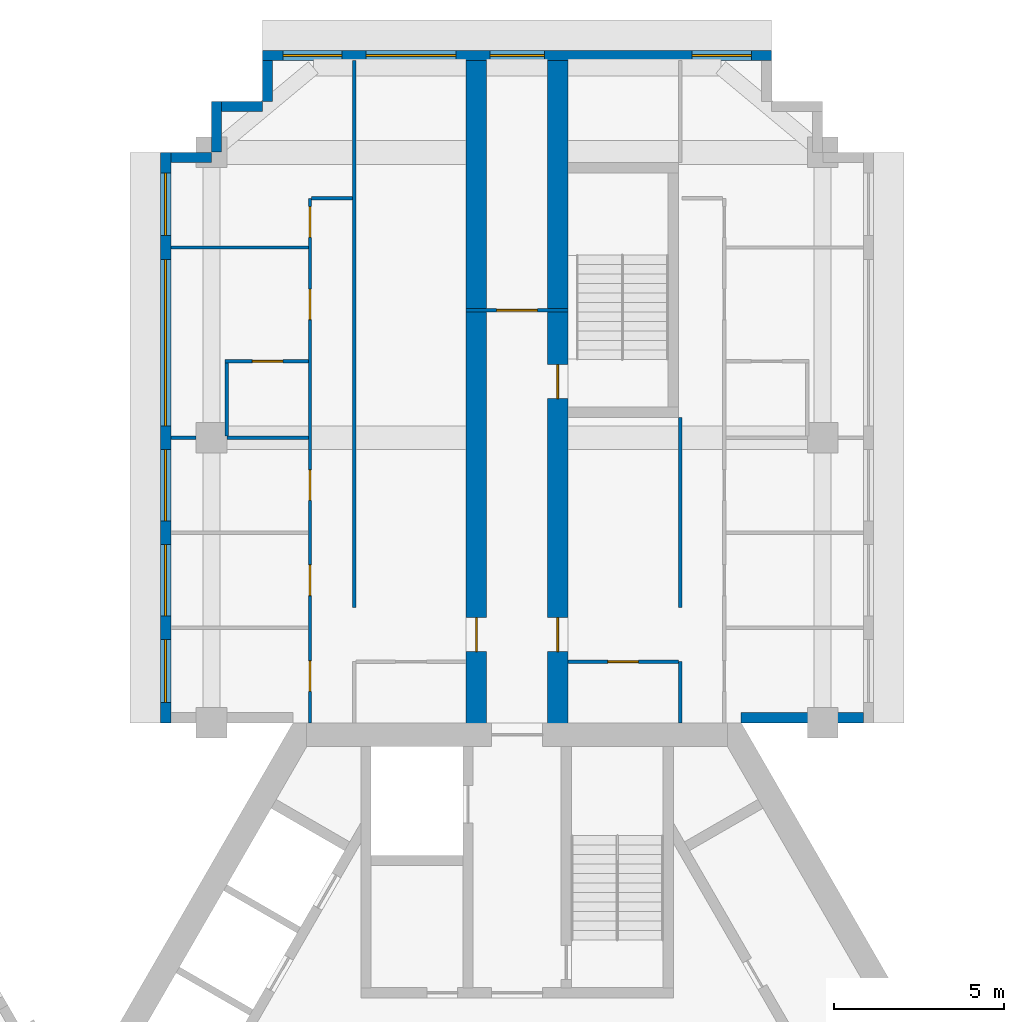
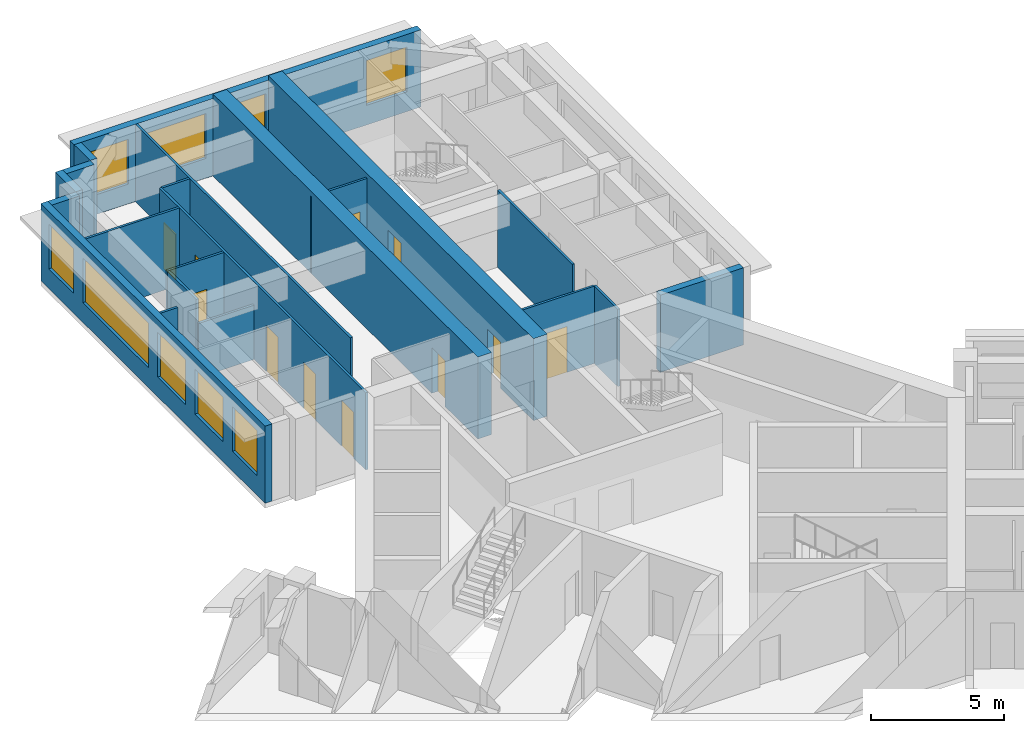
# One storey, part 7 of 10: 21 walls, 11 doors, 9 windows, 20 openings.
"""IFC4 building model written with IfcOpenShell, lengths in metres."""

from ifc_helpers import new_model, si_unit, direction, frame, frame_2d, origin, place, context, subcontext, project, spatial, rectangle, extrude, material, layer, layer_set, type_object, element, fill, save


model = new_model("IFC4")

# Units and contexts
model_context = context("Model", 3, precision=1e-05, world=origin(), true_north=direction((0.0, 1.0)))
body_context = subcontext(model_context, "Body", "Model", "MODEL_VIEW")
ifc_project = project(units=[si_unit("LENGTHUNIT", "METRE"), si_unit("AREAUNIT", "SQUARE_METRE"), si_unit("VOLUMEUNIT", "CUBIC_METRE"), si_unit("PLANEANGLEUNIT", "RADIAN"), si_unit("MASSUNIT", "GRAM", prefix="KILO")], contexts=[model_context])

# Site, building, storey
site_placement = place(None, origin())
site = spatial("IfcSite", under=ifc_project, at=site_placement, CompositionType="ELEMENT")
building_placement = place(site_placement, origin())
building = spatial("IfcBuilding", under=site, at=building_placement, Name="Impinga Residences", CompositionType="ELEMENT")
storey_placement = place(building_placement, frame((0.0, 0.0, 263.5)))
storey = spatial("IfcBuildingStorey", under=building, at=storey_placement, Name="L66", CompositionType="ELEMENT", Elevation=263.5)

# Wall, opening, door
ifc_material_1 = material(Name="Concrete C60/75", Category="concrete")
ifc_layer_1 = layer(ifc_material_1, 0.60009765625)
ifc_layer_set_1 = layer_set([ifc_layer_1], Name="Concrete C60/75")
wall_type_1 = type_object("IfcWallType", Name="BW3 corridor buttress wall, L46 to L73 600", PredefinedType="SHEAR", material=ifc_layer_set_1)
wall_1_placement = place(storey_placement, frame((-1.199951171875, 11.08154296875, 0.0), z_axis=(0.0, 0.0, 1.0), x_axis=(0.0, 1.0, 0.0)))
wall_1 = element("IfcWall", 1, at=wall_1_placement, inside=storey, type_object=wall_type_1, Name="Corridor wall BW3 NC L66", PredefinedType="SHEAR", context=body_context, shape_type="SweptSolid", body=[
    extrude(rectangle(XDim=19.85009765625, YDim=0.60009765625, at=frame_2d((9.925048828125, 0.0))), origin(), (0.0, 0.0, 1.0), 3.75),
])
opening_1_placement = place(wall_1_placement, frame((2.449951171875, 0.0, 0.0)))
opening_1 = element("IfcOpeningElement", 2, at=opening_1_placement, cuts=wall_1, Name="Opening D1", PredefinedType="OPENING", context=body_context, shape_type="SweptSolid", body=[
    extrude(rectangle(XDim=1.0, YDim=2.10009765625, at=frame_2d((0.5, 1.050048828125))), frame((0.0, 0.31005859375, 0.0), z_axis=(0.0, -1.0, 0.0), x_axis=(1.0, 0.0, 0.0)), (0.0, 0.0, 1.0), 0.6201171875),
])
ifc_material_2 = material(Name="Timber door set", Category="wood")
door_type_1 = type_object("IfcDoorType", Name="D1 apartment entrance door 1000x2100", OperationType="SINGLE_SWING_LEFT", PredefinedType="DOOR", material=ifc_material_2)
door_1_placement = place(opening_1_placement, origin())
door_1 = element("IfcDoor", 3, at=door_1_placement, inside=storey, type_object=door_type_1, Name="Apartment L66-NA1 entrance", OperationType="SINGLE_SWING_LEFT", OverallHeight=2.10009765625, OverallWidth=1.0, PredefinedType="DOOR", context=body_context, shape_type="SweptSolid", body=[
    extrude(rectangle(XDim=1.0, YDim=2.10009765625, at=frame_2d((0.5, 1.050048828125))), frame((0.0, 0.02490234375, 0.0), z_axis=(0.0, -1.0, 0.0), x_axis=(1.0, 0.0, 0.0)), (0.0, 0.0, 1.0), 0.050048828125),
])
fill(opening_1, door_1)

# Wall, openings, doors
wall_2_placement = place(storey_placement, frame((1.199951171875, 11.08154296875, 0.0), z_axis=(0.0, 0.0, 1.0), x_axis=(0.0, 1.0, 0.0)))
wall_2 = element("IfcWall", 4, at=wall_2_placement, inside=storey, type_object=wall_type_1, Name="Corridor wall BW3 ND L66", PredefinedType="SHEAR", context=body_context, shape_type="SweptSolid", body=[
    extrude(rectangle(XDim=19.85009765625, YDim=0.60009765625, at=frame_2d((9.925048828125, 0.0))), origin(), (0.0, 0.0, 1.0), 3.75),
])
opening_2_placement = place(wall_2_placement, frame((9.89990234375, 0.0, 0.0)))
opening_2 = element("IfcOpeningElement", 5, at=opening_2_placement, cuts=wall_2, Name="Opening D5", PredefinedType="OPENING", context=body_context, shape_type="SweptSolid", body=[
    extrude(rectangle(XDim=1.0, YDim=2.10009765625, at=frame_2d((0.5, 1.050048828125))), frame((0.0, 0.31005859375, 0.0), z_axis=(0.0, -1.0, 0.0), x_axis=(1.0, 0.0, 0.0)), (0.0, 0.0, 1.0), 0.6201171875),
])
opening_3_placement = place(wall_2_placement, frame((2.449951171875, 0.0, 0.0)))
opening_3 = element("IfcOpeningElement", 6, at=opening_3_placement, cuts=wall_2, Name="Opening D1", PredefinedType="OPENING", context=body_context, shape_type="SweptSolid", body=[
    extrude(rectangle(XDim=1.0, YDim=2.10009765625, at=frame_2d((0.5, 1.050048828125))), frame((0.0, 0.31005859375, 0.0), z_axis=(0.0, -1.0, 0.0), x_axis=(1.0, 0.0, 0.0)), (0.0, 0.0, 1.0), 0.6201171875),
])
door_2_placement = place(opening_3_placement, origin())
door_2 = element("IfcDoor", 7, at=door_2_placement, inside=storey, type_object=door_type_1, Name="Apartment L66-NF1 entrance", OperationType="SINGLE_SWING_LEFT", OverallHeight=2.10009765625, OverallWidth=1.0, PredefinedType="DOOR", context=body_context, shape_type="SweptSolid", body=[
    extrude(rectangle(XDim=1.0, YDim=2.10009765625, at=frame_2d((0.5, 1.050048828125))), frame((0.0, 0.02490234375, 0.0), z_axis=(0.0, -1.0, 0.0), x_axis=(1.0, 0.0, 0.0)), (0.0, 0.0, 1.0), 0.050048828125),
])
fill(opening_3, door_2)
door_type_2 = type_object("IfcDoorType", Name="D5 stair door 1000x2100", OperationType="SINGLE_SWING_LEFT", PredefinedType="DOOR", material=ifc_material_2)
door_3_placement = place(opening_2_placement, origin())
door_3 = element("IfcDoor", 8, at=door_3_placement, inside=storey, type_object=door_type_2, Name="Wing stair door N", OperationType="SINGLE_SWING_RIGHT", OverallHeight=2.10009765625, OverallWidth=1.0, PredefinedType="DOOR", context=body_context, shape_type="SweptSolid", body=[
    extrude(rectangle(XDim=1.0, YDim=2.10009765625, at=frame_2d((0.5, 1.050048828125))), frame((0.0, 0.02490234375, 0.0), z_axis=(0.0, -1.0, 0.0), x_axis=(1.0, 0.0, 0.0)), (0.0, 0.0, 1.0), 0.050048828125),
])
fill(opening_2, door_3)

# Wall, opening, door
ifc_material_3 = material(Name="Concrete blockwork", Category="masonry")
ifc_layer_2 = layer(ifc_material_3, 0.10009765625)
ifc_layer_set_2 = layer_set([ifc_layer_2], Name="CP1 core room partition, blockwork 100")
wall_type_2 = type_object("IfcWallType", Name="CP1 core room partition, blockwork 100", PredefinedType="PARTITIONING", material=ifc_layer_set_2)
wall_3_placement = place(storey_placement, frame((-1.5, 23.58154296875, 0.0), z_axis=(0.0, 0.0, 1.0), x_axis=(1.0, 0.0, 0.0)))
wall_3 = element("IfcWall", 9, at=wall_3_placement, inside=storey, type_object=wall_type_2, Name="Core room partition, blockwork L66:N:LNG", PredefinedType="PARTITIONING", context=body_context, shape_type="SweptSolid", body=[
    extrude(rectangle(XDim=3.0, YDim=0.10009765625, at=frame_2d((1.5, 0.0))), origin(), (0.0, 0.0, 1.0), 3.530029296875),
])
opening_4_placement = place(wall_3_placement, frame((0.89990234375, 0.0, 0.0)))
opening_4 = element("IfcOpeningElement", 10, at=opening_4_placement, cuts=wall_3, Name="Opening D3", PredefinedType="OPENING", context=body_context, shape_type="SweptSolid", body=[
    extrude(rectangle(XDim=1.199951171875, YDim=2.10009765625, at=frame_2d((0.60009765625, 1.050048828125))), frame((0.0, 0.06005859375, 0.0), z_axis=(0.0, -1.0, 0.0), x_axis=(1.0, 0.0, 0.0)), (0.0, 0.0, 1.0), 0.1201171875),
])
door_type_3 = type_object("IfcDoorType", Name="D3 room door, leaf and a half 1200x2100", OperationType="DOUBLE_SWING_LEFT", PredefinedType="DOOR", material=ifc_material_2)
door_4_placement = place(opening_4_placement, origin())
door_4 = element("IfcDoor", 11, at=door_4_placement, inside=storey, type_object=door_type_3, Name="Residents' lounge door N", OperationType="DOUBLE_SWING_LEFT", OverallHeight=2.10009765625, OverallWidth=1.199951171875, PredefinedType="DOOR", context=body_context, shape_type="SweptSolid", body=[
    extrude(rectangle(XDim=1.199951171875, YDim=2.10009765625, at=frame_2d((0.60009765625, 1.050048828125))), frame((0.0, 0.02490234375, 0.0), z_axis=(0.0, -1.0, 0.0), x_axis=(1.0, 0.0, 0.0)), (0.0, 0.0, 1.0), 0.050048828125),
])
fill(opening_4, door_4)

# Wall, openings, windows
ifc_material_4 = material(Name="Terracotta rainscreen on blockwork", Category="masonry")
ifc_layer_3 = layer(ifc_material_4, 0.300048828125)
ifc_layer_set_3 = layer_set([ifc_layer_3], Name="EW1 external wall, terracotta rainscreen on blockwork 300")
wall_type_3 = type_object("IfcWallType", Name="EW1 external wall, terracotta rainscreen on blockwork 300", PredefinedType="SOLIDWALL", material=ifc_layer_set_3)
wall_4_placement = place(storey_placement, frame((-10.35009765625, 11.431640625, 0.0), z_axis=(0.0, 0.0, 1.0), x_axis=(0.0, 1.0, 0.0)))
wall_4 = element("IfcWall", 12, at=wall_4_placement, inside=storey, type_object=wall_type_3, Name="External wall EW1 L66", PredefinedType="SOLIDWALL", context=body_context, shape_type="SweptSolid", body=[
    extrude(rectangle(XDim=16.7998046875, YDim=0.300048828125, at=frame_2d((8.39990234375, 0.0))), origin(), (0.0, 0.0, 1.0), 3.530029296875),
])
opening_5_placement = place(wall_4_placement, frame((0.60009765625, 0.0, 0.89990234375)))
opening_5 = element("IfcOpeningElement", 13, at=opening_5_placement, cuts=wall_4, Name="Opening W15", PredefinedType="OPENING", context=body_context, shape_type="SweptSolid", body=[
    extrude(rectangle(XDim=1.85009765625, YDim=2.050048828125, at=frame_2d((0.925048828125, 1.02490234375))), frame((0.0, 0.159912109375, 0.0), z_axis=(0.0, -1.0, 0.0), x_axis=(1.0, 0.0, 0.0)), (0.0, 0.0, 1.0), 0.320068359375),
])
opening_6_placement = place(wall_4_placement, frame((3.14990234375, 0.0, 0.89990234375)))
opening_6 = element("IfcOpeningElement", 14, at=opening_6_placement, cuts=wall_4, Name="Opening W9", PredefinedType="OPENING", context=body_context, shape_type="SweptSolid", body=[
    extrude(rectangle(XDim=2.10009765625, YDim=2.050048828125, at=frame_2d((1.050048828125, 1.02490234375))), frame((0.0, 0.159912109375, 0.0), z_axis=(0.0, -1.0, 0.0), x_axis=(1.0, 0.0, 0.0)), (0.0, 0.0, 1.0), 0.320068359375),
])
opening_7_placement = place(wall_4_placement, frame((5.949951171875, 0.0, 0.89990234375)))
opening_7 = element("IfcOpeningElement", 15, at=opening_7_placement, cuts=wall_4, Name="Opening W9", PredefinedType="OPENING", context=body_context, shape_type="SweptSolid", body=[
    extrude(rectangle(XDim=2.10009765625, YDim=2.050048828125, at=frame_2d((1.050048828125, 1.02490234375))), frame((0.0, 0.159912109375, 0.0), z_axis=(0.0, -1.0, 0.0), x_axis=(1.0, 0.0, 0.0)), (0.0, 0.0, 1.0), 0.320068359375),
])
opening_8_placement = place(wall_4_placement, frame((8.75, 0.0, 0.89990234375)))
opening_8 = element("IfcOpeningElement", 16, at=opening_8_placement, cuts=wall_4, Name="Opening W16", PredefinedType="OPENING", context=body_context, shape_type="SweptSolid", body=[
    extrude(rectangle(XDim=4.89990234375, YDim=2.050048828125, at=frame_2d((2.449951171875, 1.02490234375))), frame((0.0, 0.159912109375, 0.0), z_axis=(0.0, -1.0, 0.0), x_axis=(1.0, 0.0, 0.0)), (0.0, 0.0, 1.0), 0.320068359375),
])
opening_9_placement = place(wall_4_placement, frame((14.35009765625, 0.0, 0.89990234375)))
opening_9 = element("IfcOpeningElement", 17, at=opening_9_placement, cuts=wall_4, Name="Opening W15", PredefinedType="OPENING", context=body_context, shape_type="SweptSolid", body=[
    extrude(rectangle(XDim=1.85009765625, YDim=2.050048828125, at=frame_2d((0.925048828125, 1.02490234375))), frame((0.0, 0.159912109375, 0.0), z_axis=(0.0, -1.0, 0.0), x_axis=(1.0, 0.0, 0.0)), (0.0, 0.0, 1.0), 0.320068359375),
])
ifc_material_5 = material(Name="Aluminium window, clear double glazing", Category="aluminium")
window_type_1 = type_object("IfcWindowType", Name="W15 ribbon window 1850x2050", PartitioningType="SINGLE_PANEL", PredefinedType="WINDOW", material=ifc_material_5)
window_1_placement = place(opening_5_placement, origin())
window_1 = element("IfcWindow", 18, at=window_1_placement, inside=storey, type_object=window_type_1, Name="Window L66", OverallHeight=2.050048828125, OverallWidth=1.85009765625, PartitioningType="SINGLE_PANEL", PredefinedType="WINDOW", context=body_context, shape_type="SweptSolid", body=[
    extrude(rectangle(XDim=1.85009765625, YDim=2.050048828125, at=frame_2d((0.925048828125, 1.02490234375))), frame((0.0, 0.030029296875, 0.0), z_axis=(0.0, -1.0, 0.0), x_axis=(1.0, 0.0, 0.0)), (0.0, 0.0, 1.0), 0.06005859375),
])
fill(opening_5, window_1)
window_2_placement = place(opening_9_placement, origin())
window_2 = element("IfcWindow", 19, at=window_2_placement, inside=storey, type_object=window_type_1, Name="Window L66", OverallHeight=2.050048828125, OverallWidth=1.85009765625, PartitioningType="SINGLE_PANEL", PredefinedType="WINDOW", context=body_context, shape_type="SweptSolid", body=[
    extrude(rectangle(XDim=1.85009765625, YDim=2.050048828125, at=frame_2d((0.925048828125, 1.02490234375))), frame((0.0, 0.030029296875, 0.0), z_axis=(0.0, -1.0, 0.0), x_axis=(1.0, 0.0, 0.0)), (0.0, 0.0, 1.0), 0.06005859375),
])
fill(opening_9, window_2)
window_type_2 = type_object("IfcWindowType", Name="W16 ribbon window 4900x2050", PartitioningType="SINGLE_PANEL", PredefinedType="WINDOW", material=ifc_material_5)
window_3_placement = place(opening_8_placement, origin())
window_3 = element("IfcWindow", 20, at=window_3_placement, inside=storey, type_object=window_type_2, Name="Window L66", OverallHeight=2.050048828125, OverallWidth=4.89990234375, PartitioningType="SINGLE_PANEL", PredefinedType="WINDOW", context=body_context, shape_type="SweptSolid", body=[
    extrude(rectangle(XDim=4.89990234375, YDim=2.050048828125, at=frame_2d((2.449951171875, 1.02490234375))), frame((0.0, 0.030029296875, 0.0), z_axis=(0.0, -1.0, 0.0), x_axis=(1.0, 0.0, 0.0)), (0.0, 0.0, 1.0), 0.06005859375),
])
fill(opening_8, window_3)
window_type_3 = type_object("IfcWindowType", Name="W9 ribbon window 2100x2050", PartitioningType="SINGLE_PANEL", PredefinedType="WINDOW", material=ifc_material_5)
window_4_placement = place(opening_6_placement, origin())
window_4 = element("IfcWindow", 21, at=window_4_placement, inside=storey, type_object=window_type_3, Name="Window L66", OverallHeight=2.050048828125, OverallWidth=2.10009765625, PartitioningType="SINGLE_PANEL", PredefinedType="WINDOW", context=body_context, shape_type="SweptSolid", body=[
    extrude(rectangle(XDim=2.10009765625, YDim=2.050048828125, at=frame_2d((1.050048828125, 1.02490234375))), frame((0.0, 0.030029296875, 0.0), z_axis=(0.0, -1.0, 0.0), x_axis=(1.0, 0.0, 0.0)), (0.0, 0.0, 1.0), 0.06005859375),
])
fill(opening_6, window_4)
window_5_placement = place(opening_7_placement, origin())
window_5 = element("IfcWindow", 22, at=window_5_placement, inside=storey, type_object=window_type_3, Name="Window L66", OverallHeight=2.050048828125, OverallWidth=2.10009765625, PartitioningType="SINGLE_PANEL", PredefinedType="WINDOW", context=body_context, shape_type="SweptSolid", body=[
    extrude(rectangle(XDim=2.10009765625, YDim=2.050048828125, at=frame_2d((1.050048828125, 1.02490234375))), frame((0.0, 0.030029296875, 0.0), z_axis=(0.0, -1.0, 0.0), x_axis=(1.0, 0.0, 0.0)), (0.0, 0.0, 1.0), 0.06005859375),
])
fill(opening_7, window_5)

# Walls
wall_5_placement = place(storey_placement, frame((-10.199951171875, 28.08154296875, 0.0), z_axis=(0.0, 0.0, 1.0), x_axis=(1.0, 0.0, 0.0)))
element("IfcWall", 23, at=wall_5_placement, inside=storey, type_object=wall_type_3, Name="External wall EW1 L66", PredefinedType="SOLIDWALL", context=body_context, shape_type="SweptSolid", body=[
    extrude(rectangle(XDim=1.199951171875, YDim=0.300048828125, at=frame_2d((0.60009765625, 0.0))), origin(), (0.0, 0.0, 1.0), 3.530029296875),
])
wall_6_placement = place(storey_placement, frame((-8.85009765625, 28.236572265625, 0.0), z_axis=(0.0, 0.0, 1.0), x_axis=(0.0, 1.0, 0.0)))
element("IfcWall", 24, at=wall_6_placement, inside=storey, type_object=wall_type_3, Name="External wall EW1 L66", PredefinedType="SOLIDWALL", context=body_context, shape_type="SweptSolid", body=[
    extrude(rectangle(XDim=1.494873046875, YDim=0.300048828125, at=frame_2d((0.74755859375, 0.0))), origin(), (0.0, 0.0, 1.0), 3.530029296875),
])
wall_7_placement = place(storey_placement, frame((-8.699951171875, 29.58154296875, 0.0), z_axis=(0.0, 0.0, 1.0), x_axis=(1.0, 0.0, 0.0)))
element("IfcWall", 25, at=wall_7_placement, inside=storey, type_object=wall_type_3, Name="External wall EW1 L66", PredefinedType="SOLIDWALL", context=body_context, shape_type="SweptSolid", body=[
    extrude(rectangle(XDim=1.199951171875, YDim=0.300048828125, at=frame_2d((0.60009765625, 0.0))), origin(), (0.0, 0.0, 1.0), 3.530029296875),
])
wall_8_placement = place(storey_placement, frame((-7.35009765625, 29.736572265625, 0.0), z_axis=(0.0, 0.0, 1.0), x_axis=(0.0, 1.0, 0.0)))
element("IfcWall", 26, at=wall_8_placement, inside=storey, type_object=wall_type_3, Name="External wall EW1 L66", PredefinedType="SOLIDWALL", context=body_context, shape_type="SweptSolid", body=[
    extrude(rectangle(XDim=1.195068359375, YDim=0.300048828125, at=frame_2d((0.59765625, 0.0))), origin(), (0.0, 0.0, 1.0), 3.530029296875),
])

# Wall, openings, windows
wall_9_placement = place(storey_placement, frame((-7.5, 31.08154296875, 0.0), z_axis=(0.0, 0.0, 1.0), x_axis=(1.0, 0.0, 0.0)))
wall_9 = element("IfcWall", 27, at=wall_9_placement, inside=storey, type_object=wall_type_3, Name="External wall EW1 L66", PredefinedType="SOLIDWALL", context=body_context, shape_type="SweptSolid", body=[
    extrude(rectangle(XDim=15.0, YDim=0.300048828125, at=frame_2d((7.5, 0.0))), origin(), (0.0, 0.0, 1.0), 3.530029296875),
])
opening_10_placement = place(wall_9_placement, frame((0.60009765625, 0.0, 0.89990234375)))
opening_10 = element("IfcOpeningElement", 28, at=opening_10_placement, cuts=wall_9, Name="Opening W1", PredefinedType="OPENING", context=body_context, shape_type="SweptSolid", body=[
    extrude(rectangle(XDim=1.75, YDim=2.050048828125, at=frame_2d((0.875, 1.02490234375))), frame((0.0, 0.159912109375, 0.0), z_axis=(0.0, -1.0, 0.0), x_axis=(1.0, 0.0, 0.0)), (0.0, 0.0, 1.0), 0.320068359375),
])
opening_11_placement = place(wall_9_placement, frame((3.050048828125, 0.0, 0.89990234375)))
opening_11 = element("IfcOpeningElement", 29, at=opening_11_placement, cuts=wall_9, Name="Opening W18", PredefinedType="OPENING", context=body_context, shape_type="SweptSolid", body=[
    extrude(rectangle(XDim=2.64990234375, YDim=2.050048828125, at=frame_2d((1.324951171875, 1.02490234375))), frame((0.0, 0.159912109375, 0.0), z_axis=(0.0, -1.0, 0.0), x_axis=(1.0, 0.0, 0.0)), (0.0, 0.0, 1.0), 0.320068359375),
])
opening_12_placement = place(wall_9_placement, frame((6.699951171875, 0.0, 0.89990234375)))
opening_12 = element("IfcOpeningElement", 30, at=opening_12_placement, cuts=wall_9, Name="Opening W19", PredefinedType="OPENING", context=body_context, shape_type="SweptSolid", body=[
    extrude(rectangle(XDim=1.60009765625, YDim=2.050048828125, at=frame_2d((0.800048828125, 1.02490234375))), frame((0.0, 0.159912109375, 0.0), z_axis=(0.0, -1.0, 0.0), x_axis=(1.0, 0.0, 0.0)), (0.0, 0.0, 1.0), 0.320068359375),
])
opening_13_placement = place(wall_9_placement, frame((12.64990234375, 0.0, 0.89990234375)))
opening_13 = element("IfcOpeningElement", 31, at=opening_13_placement, cuts=wall_9, Name="Opening W1", PredefinedType="OPENING", context=body_context, shape_type="SweptSolid", body=[
    extrude(rectangle(XDim=1.75, YDim=2.050048828125, at=frame_2d((0.875, 1.02490234375))), frame((0.0, 0.159912109375, 0.0), z_axis=(0.0, -1.0, 0.0), x_axis=(1.0, 0.0, 0.0)), (0.0, 0.0, 1.0), 0.320068359375),
])
window_type_4 = type_object("IfcWindowType", Name="W1 ribbon window 1750x2050", PartitioningType="SINGLE_PANEL", PredefinedType="WINDOW", material=ifc_material_5)
window_6_placement = place(opening_10_placement, origin())
window_6 = element("IfcWindow", 32, at=window_6_placement, inside=storey, type_object=window_type_4, Name="Window L66", OverallHeight=2.050048828125, OverallWidth=1.75, PartitioningType="SINGLE_PANEL", PredefinedType="WINDOW", context=body_context, shape_type="SweptSolid", body=[
    extrude(rectangle(XDim=1.75, YDim=2.050048828125, at=frame_2d((0.875, 1.02490234375))), frame((0.0, 0.030029296875, 0.0), z_axis=(0.0, -1.0, 0.0), x_axis=(1.0, 0.0, 0.0)), (0.0, 0.0, 1.0), 0.06005859375),
])
fill(opening_10, window_6)
window_7_placement = place(opening_13_placement, origin())
window_7 = element("IfcWindow", 33, at=window_7_placement, inside=storey, type_object=window_type_4, Name="Window L66", OverallHeight=2.050048828125, OverallWidth=1.75, PartitioningType="SINGLE_PANEL", PredefinedType="WINDOW", context=body_context, shape_type="SweptSolid", body=[
    extrude(rectangle(XDim=1.75, YDim=2.050048828125, at=frame_2d((0.875, 1.02490234375))), frame((0.0, 0.030029296875, 0.0), z_axis=(0.0, -1.0, 0.0), x_axis=(1.0, 0.0, 0.0)), (0.0, 0.0, 1.0), 0.06005859375),
])
fill(opening_13, window_7)
window_type_5 = type_object("IfcWindowType", Name="W18 ribbon window 2650x2050", PartitioningType="SINGLE_PANEL", PredefinedType="WINDOW", material=ifc_material_5)
window_8_placement = place(opening_11_placement, origin())
window_8 = element("IfcWindow", 34, at=window_8_placement, inside=storey, type_object=window_type_5, Name="Window L66", OverallHeight=2.050048828125, OverallWidth=2.64990234375, PartitioningType="SINGLE_PANEL", PredefinedType="WINDOW", context=body_context, shape_type="SweptSolid", body=[
    extrude(rectangle(XDim=2.64990234375, YDim=2.050048828125, at=frame_2d((1.324951171875, 1.02490234375))), frame((0.0, 0.030029296875, 0.0), z_axis=(0.0, -1.0, 0.0), x_axis=(1.0, 0.0, 0.0)), (0.0, 0.0, 1.0), 0.06005859375),
])
fill(opening_11, window_8)
window_type_6 = type_object("IfcWindowType", Name="W19 ribbon window 1600x2050", PartitioningType="SINGLE_PANEL", PredefinedType="WINDOW", material=ifc_material_5)
window_9_placement = place(opening_12_placement, origin())
window_9 = element("IfcWindow", 35, at=window_9_placement, inside=storey, type_object=window_type_6, Name="Window L66", OverallHeight=2.050048828125, OverallWidth=1.60009765625, PartitioningType="SINGLE_PANEL", PredefinedType="WINDOW", context=body_context, shape_type="SweptSolid", body=[
    extrude(rectangle(XDim=1.60009765625, YDim=2.050048828125, at=frame_2d((0.800048828125, 1.02490234375))), frame((0.0, 0.030029296875, 0.0), z_axis=(0.0, -1.0, 0.0), x_axis=(1.0, 0.0, 0.0)), (0.0, 0.0, 1.0), 0.06005859375),
])
fill(opening_12, window_9)

# Walls
wall_10_placement = place(storey_placement, frame((10.199951171875, 11.58154296875, 0.0), z_axis=(0.0, 0.0, 1.0), x_axis=(-1.0, 0.0, 0.0)))
element("IfcWall", 36, at=wall_10_placement, inside=storey, type_object=wall_type_3, Name="External wall EW1 L66", PredefinedType="SOLIDWALL", context=body_context, shape_type="SweptSolid", body=[
    extrude(rectangle(XDim=3.599853515625, YDim=0.300048828125, at=frame_2d((1.7998046875, 0.0))), origin(), (0.0, 0.0, 1.0), 3.530029296875),
])
ifc_material_6 = material(Name="Gypsum board on steel studs", Category="steel")
ifc_layer_4 = layer(ifc_material_6, 0.10009765625)
ifc_layer_set_4 = layer_set([ifc_layer_4], Name="Gypsum board on steel studs")
wall_type_4 = type_object("IfcWallType", Name="IP1 partition 100", PredefinedType="PARTITIONING", material=ifc_layer_set_4)
wall_11_placement = place(storey_placement, frame((-4.800048828125, 14.83154296875, 0.0), z_axis=(0.0, 0.0, 1.0), x_axis=(0.0, 1.0, 0.0)))
element("IfcWall", 37, at=wall_11_placement, inside=storey, type_object=wall_type_4, Name="Partition L66-NA1:DIV1", PredefinedType="PARTITIONING", context=body_context, shape_type="SweptSolid", body=[
    extrude(rectangle(XDim=16.10009765625, YDim=0.10009765625, at=frame_2d((8.050048828125, 0.0))), origin(), (0.0, 0.0, 1.0), 3.530029296875),
])

# Wall, openings, doors
wall_12_placement = place(storey_placement, frame((-6.10009765625, 11.431640625, 0.0), z_axis=(0.0, 0.0, 1.0), x_axis=(0.0, 1.0, 0.0)))
wall_12 = element("IfcWall", 38, at=wall_12_placement, inside=storey, type_object=wall_type_4, Name="Partition L66-NA1:STRIP", PredefinedType="PARTITIONING", context=body_context, shape_type="SweptSolid", body=[
    extrude(rectangle(XDim=15.449951171875, YDim=0.10009765625, at=frame_2d((7.72509765625, 0.0))), origin(), (0.0, 0.0, 1.0), 3.530029296875),
])
opening_14_placement = place(wall_12_placement, frame((0.925048828125, 0.0, 0.0)))
opening_14 = element("IfcOpeningElement", 39, at=opening_14_placement, cuts=wall_12, Name="Opening D2", PredefinedType="OPENING", context=body_context, shape_type="SweptSolid", body=[
    extrude(rectangle(XDim=0.89990234375, YDim=2.10009765625, at=frame_2d((0.449951171875, 1.050048828125))), frame((0.0, 0.06005859375, 0.0), z_axis=(0.0, -1.0, 0.0), x_axis=(1.0, 0.0, 0.0)), (0.0, 0.0, 1.0), 0.1201171875),
])
opening_15_placement = place(wall_12_placement, frame((3.75, 0.0, 0.0)))
opening_15 = element("IfcOpeningElement", 40, at=opening_15_placement, cuts=wall_12, Name="Opening D2", PredefinedType="OPENING", context=body_context, shape_type="SweptSolid", body=[
    extrude(rectangle(XDim=0.89990234375, YDim=2.10009765625, at=frame_2d((0.449951171875, 1.050048828125))), frame((0.0, 0.06005859375, 0.0), z_axis=(0.0, -1.0, 0.0), x_axis=(1.0, 0.0, 0.0)), (0.0, 0.0, 1.0), 0.1201171875),
])
opening_16_placement = place(wall_12_placement, frame((6.550048828125, 0.0, 0.0)))
opening_16 = element("IfcOpeningElement", 41, at=opening_16_placement, cuts=wall_12, Name="Opening D2", PredefinedType="OPENING", context=body_context, shape_type="SweptSolid", body=[
    extrude(rectangle(XDim=0.89990234375, YDim=2.10009765625, at=frame_2d((0.449951171875, 1.050048828125))), frame((0.0, 0.06005859375, 0.0), z_axis=(0.0, -1.0, 0.0), x_axis=(1.0, 0.0, 0.0)), (0.0, 0.0, 1.0), 0.1201171875),
])
opening_17_placement = place(wall_12_placement, frame((11.875, 0.0, 0.0)))
opening_17 = element("IfcOpeningElement", 42, at=opening_17_placement, cuts=wall_12, Name="Opening D2", PredefinedType="OPENING", context=body_context, shape_type="SweptSolid", body=[
    extrude(rectangle(XDim=0.89990234375, YDim=2.10009765625, at=frame_2d((0.449951171875, 1.050048828125))), frame((0.0, 0.06005859375, 0.0), z_axis=(0.0, -1.0, 0.0), x_axis=(1.0, 0.0, 0.0)), (0.0, 0.0, 1.0), 0.1201171875),
])
opening_18_placement = place(wall_12_placement, frame((14.300048828125, 0.0, 0.0)))
opening_18 = element("IfcOpeningElement", 43, at=opening_18_placement, cuts=wall_12, Name="Opening D2", PredefinedType="OPENING", context=body_context, shape_type="SweptSolid", body=[
    extrude(rectangle(XDim=0.89990234375, YDim=2.10009765625, at=frame_2d((0.449951171875, 1.050048828125))), frame((0.0, 0.06005859375, 0.0), z_axis=(0.0, -1.0, 0.0), x_axis=(1.0, 0.0, 0.0)), (0.0, 0.0, 1.0), 0.1201171875),
])
door_type_4 = type_object("IfcDoorType", Name="D2 internal door 900x2100", OperationType="SINGLE_SWING_LEFT", PredefinedType="DOOR", material=ifc_material_2)
door_5_placement = place(opening_14_placement, origin())
door_5 = element("IfcDoor", 44, at=door_5_placement, inside=storey, type_object=door_type_4, Name="Apartment L66-NA1 room door", OperationType="SINGLE_SWING_LEFT", OverallHeight=2.10009765625, OverallWidth=0.89990234375, PredefinedType="DOOR", context=body_context, shape_type="SweptSolid", body=[
    extrude(rectangle(XDim=0.89990234375, YDim=2.10009765625, at=frame_2d((0.449951171875, 1.050048828125))), frame((0.0, 0.02490234375, 0.0), z_axis=(0.0, -1.0, 0.0), x_axis=(1.0, 0.0, 0.0)), (0.0, 0.0, 1.0), 0.050048828125),
])
fill(opening_14, door_5)
door_6_placement = place(opening_15_placement, origin())
door_6 = element("IfcDoor", 45, at=door_6_placement, inside=storey, type_object=door_type_4, Name="Apartment L66-NA1 room door", OperationType="SINGLE_SWING_LEFT", OverallHeight=2.10009765625, OverallWidth=0.89990234375, PredefinedType="DOOR", context=body_context, shape_type="SweptSolid", body=[
    extrude(rectangle(XDim=0.89990234375, YDim=2.10009765625, at=frame_2d((0.449951171875, 1.050048828125))), frame((0.0, 0.02490234375, 0.0), z_axis=(0.0, -1.0, 0.0), x_axis=(1.0, 0.0, 0.0)), (0.0, 0.0, 1.0), 0.050048828125),
])
fill(opening_15, door_6)
door_7_placement = place(opening_16_placement, origin())
door_7 = element("IfcDoor", 46, at=door_7_placement, inside=storey, type_object=door_type_4, Name="Apartment L66-NA1 room door", OperationType="SINGLE_SWING_LEFT", OverallHeight=2.10009765625, OverallWidth=0.89990234375, PredefinedType="DOOR", context=body_context, shape_type="SweptSolid", body=[
    extrude(rectangle(XDim=0.89990234375, YDim=2.10009765625, at=frame_2d((0.449951171875, 1.050048828125))), frame((0.0, 0.02490234375, 0.0), z_axis=(0.0, -1.0, 0.0), x_axis=(1.0, 0.0, 0.0)), (0.0, 0.0, 1.0), 0.050048828125),
])
fill(opening_16, door_7)
door_8_placement = place(opening_17_placement, origin())
door_8 = element("IfcDoor", 47, at=door_8_placement, inside=storey, type_object=door_type_4, Name="Apartment L66-NA1 room door", OperationType="SINGLE_SWING_RIGHT", OverallHeight=2.10009765625, OverallWidth=0.89990234375, PredefinedType="DOOR", context=body_context, shape_type="SweptSolid", body=[
    extrude(rectangle(XDim=0.89990234375, YDim=2.10009765625, at=frame_2d((0.449951171875, 1.050048828125))), frame((0.0, 0.02490234375, 0.0), z_axis=(0.0, -1.0, 0.0), x_axis=(1.0, 0.0, 0.0)), (0.0, 0.0, 1.0), 0.050048828125),
])
fill(opening_17, door_8)
door_9_placement = place(opening_18_placement, origin())
door_9 = element("IfcDoor", 48, at=door_9_placement, inside=storey, type_object=door_type_4, Name="Apartment L66-NA1 room door", OperationType="SINGLE_SWING_RIGHT", OverallHeight=2.10009765625, OverallWidth=0.89990234375, PredefinedType="DOOR", context=body_context, shape_type="SweptSolid", body=[
    extrude(rectangle(XDim=0.89990234375, YDim=2.10009765625, at=frame_2d((0.449951171875, 1.050048828125))), frame((0.0, 0.02490234375, 0.0), z_axis=(0.0, -1.0, 0.0), x_axis=(1.0, 0.0, 0.0)), (0.0, 0.0, 1.0), 0.050048828125),
])
fill(opening_18, door_9)

# Walls
wall_13_placement = place(storey_placement, frame((-4.85009765625, 26.881591796875, 0.0), z_axis=(0.0, 0.0, 1.0), x_axis=(-1.0, 0.0, 0.0)))
element("IfcWall", 49, at=wall_13_placement, inside=storey, type_object=wall_type_4, Name="Partition L66-NA1:SE1", PredefinedType="PARTITIONING", context=body_context, shape_type="SweptSolid", body=[
    extrude(rectangle(XDim=1.199951171875, YDim=0.10009765625, at=frame_2d((0.60009765625, 0.0))), origin(), (0.0, 0.0, 1.0), 3.530029296875),
])
wall_14_placement = place(storey_placement, frame((-6.14990234375, 19.83154296875, 0.0), z_axis=(0.0, 0.0, 1.0), x_axis=(-1.0, 0.0, 0.0)))
element("IfcWall", 50, at=wall_14_placement, inside=storey, type_object=wall_type_4, Name="Partition L66-NA1:OB3", PredefinedType="PARTITIONING", context=body_context, shape_type="SweptSolid", body=[
    extrude(rectangle(XDim=2.400146484375, YDim=0.10009765625, at=frame_2d((1.2001953125, 0.0))), origin(), (0.0, 0.0, 1.0), 2.47998046875),
])
wall_15_placement = place(storey_placement, frame((-9.449951171875, 19.83154296875, 0.0), z_axis=(0.0, 0.0, 1.0), x_axis=(-1.0, 0.0, 0.0)))
element("IfcWall", 51, at=wall_15_placement, inside=storey, type_object=wall_type_4, Name="Partition L66-NA1:OB3b", PredefinedType="PARTITIONING", context=body_context, shape_type="SweptSolid", body=[
    extrude(rectangle(XDim=0.75, YDim=0.10009765625, at=frame_2d((0.375, 0.0))), origin(), (0.0, 0.0, 1.0), 3.530029296875),
])
wall_16_placement = place(storey_placement, frame((-6.14990234375, 25.431640625, 0.0), z_axis=(0.0, 0.0, 1.0), x_axis=(-1.0, 0.0, 0.0)))
element("IfcWall", 52, at=wall_16_placement, inside=storey, type_object=wall_type_4, Name="Partition L66-NA1:OB4", PredefinedType="PARTITIONING", context=body_context, shape_type="SweptSolid", body=[
    extrude(rectangle(XDim=4.050048828125, YDim=0.10009765625, at=frame_2d((2.02490234375, 0.0))), origin(), (0.0, 0.0, 1.0), 3.530029296875),
])

# Wall, opening, door
wall_17_placement = place(storey_placement, frame((-6.14990234375, 22.08154296875, 0.0), z_axis=(0.0, 0.0, 1.0), x_axis=(-1.0, 0.0, 0.0)))
wall_17 = element("IfcWall", 53, at=wall_17_placement, inside=storey, type_object=wall_type_4, Name="Partition L66-NA1:EN1", PredefinedType="PARTITIONING", context=body_context, shape_type="SweptSolid", body=[
    extrude(rectangle(XDim=2.4501953125, YDim=0.10009765625, at=frame_2d((1.22509765625, 0.0))), origin(), (0.0, 0.0, 1.0), 3.530029296875),
])
opening_19_placement = place(wall_17_placement, frame((0.75, 0.0, 0.0)))
opening_19 = element("IfcOpeningElement", 54, at=opening_19_placement, cuts=wall_17, Name="Opening D2", PredefinedType="OPENING", context=body_context, shape_type="SweptSolid", body=[
    extrude(rectangle(XDim=0.89990234375, YDim=2.10009765625, at=frame_2d((0.449951171875, 1.050048828125))), frame((0.0, 0.06005859375, 0.0), z_axis=(0.0, -1.0, 0.0), x_axis=(1.0, 0.0, 0.0)), (0.0, 0.0, 1.0), 0.1201171875),
])
door_10_placement = place(opening_19_placement, origin())
door_10 = element("IfcDoor", 55, at=door_10_placement, inside=storey, type_object=door_type_4, Name="Apartment L66-NA1 en-suite door", OperationType="SINGLE_SWING_LEFT", OverallHeight=2.10009765625, OverallWidth=0.89990234375, PredefinedType="DOOR", context=body_context, shape_type="SweptSolid", body=[
    extrude(rectangle(XDim=0.89990234375, YDim=2.10009765625, at=frame_2d((0.449951171875, 1.050048828125))), frame((0.0, 0.02490234375, 0.0), z_axis=(0.0, -1.0, 0.0), x_axis=(1.0, 0.0, 0.0)), (0.0, 0.0, 1.0), 0.050048828125),
])
fill(opening_19, door_10)

# Walls
wall_18_placement = place(storey_placement, frame((-8.550048828125, 19.881591796875, 0.0), z_axis=(0.0, 0.0, 1.0), x_axis=(0.0, 1.0, 0.0)))
element("IfcWall", 56, at=wall_18_placement, inside=storey, type_object=wall_type_4, Name="Partition L66-NA1:EN2", PredefinedType="PARTITIONING", context=body_context, shape_type="SweptSolid", body=[
    extrude(rectangle(XDim=2.14990234375, YDim=0.10009765625, at=frame_2d((1.074951171875, 0.0))), origin(), (0.0, 0.0, 1.0), 3.530029296875),
])
wall_19_placement = place(storey_placement, frame((4.800048828125, 11.431640625, 0.0), z_axis=(0.0, 0.0, 1.0), x_axis=(0.0, 1.0, 0.0)))
element("IfcWall", 57, at=wall_19_placement, inside=storey, type_object=wall_type_4, Name="Partition L66-NF1:DIV0", PredefinedType="PARTITIONING", context=body_context, shape_type="SweptSolid", body=[
    extrude(rectangle(XDim=1.7998046875, YDim=0.10009765625, at=frame_2d((0.89990234375, 0.0))), origin(), (0.0, 0.0, 1.0), 3.530029296875),
])
wall_20_placement = place(storey_placement, frame((4.800048828125, 14.83154296875, 0.0), z_axis=(0.0, 0.0, 1.0), x_axis=(0.0, 1.0, 0.0)))
element("IfcWall", 58, at=wall_20_placement, inside=storey, type_object=wall_type_4, Name="Partition L66-NF1:DIV1", PredefinedType="PARTITIONING", context=body_context, shape_type="SweptSolid", body=[
    extrude(rectangle(XDim=5.60009765625, YDim=0.10009765625, at=frame_2d((2.800048828125, 0.0))), origin(), (0.0, 0.0, 1.0), 3.530029296875),
])

# Wall, opening, door
wall_21_placement = place(storey_placement, frame((1.5, 13.2314453125, 0.0), z_axis=(0.0, 0.0, 1.0), x_axis=(1.0, 0.0, 0.0)))
wall_21 = element("IfcWall", 59, at=wall_21_placement, inside=storey, type_object=wall_type_4, Name="Partition L66-NF1:IB1", PredefinedType="PARTITIONING", context=body_context, shape_type="SweptSolid", body=[
    extrude(rectangle(XDim=3.25, YDim=0.10009765625, at=frame_2d((1.625, 0.0))), origin(), (0.0, 0.0, 1.0), 3.530029296875),
])
opening_20_placement = place(wall_21_placement, frame((1.175048828125, 0.0, 0.0)))
opening_20 = element("IfcOpeningElement", 60, at=opening_20_placement, cuts=wall_21, Name="Opening D2", PredefinedType="OPENING", context=body_context, shape_type="SweptSolid", body=[
    extrude(rectangle(XDim=0.89990234375, YDim=2.10009765625, at=frame_2d((0.449951171875, 1.050048828125))), frame((0.0, 0.06005859375, 0.0), z_axis=(0.0, -1.0, 0.0), x_axis=(1.0, 0.0, 0.0)), (0.0, 0.0, 1.0), 0.1201171875),
])
door_11_placement = place(opening_20_placement, origin())
door_11 = element("IfcDoor", 61, at=door_11_placement, inside=storey, type_object=door_type_4, Name="Apartment L66-NF1 bathroom door", OperationType="SINGLE_SWING_LEFT", OverallHeight=2.10009765625, OverallWidth=0.89990234375, PredefinedType="DOOR", context=body_context, shape_type="SweptSolid", body=[
    extrude(rectangle(XDim=0.89990234375, YDim=2.10009765625, at=frame_2d((0.449951171875, 1.050048828125))), frame((0.0, 0.02490234375, 0.0), z_axis=(0.0, -1.0, 0.0), x_axis=(1.0, 0.0, 0.0)), (0.0, 0.0, 1.0), 0.050048828125),
])
fill(opening_20, door_11)

save(model, "model.ifc")
